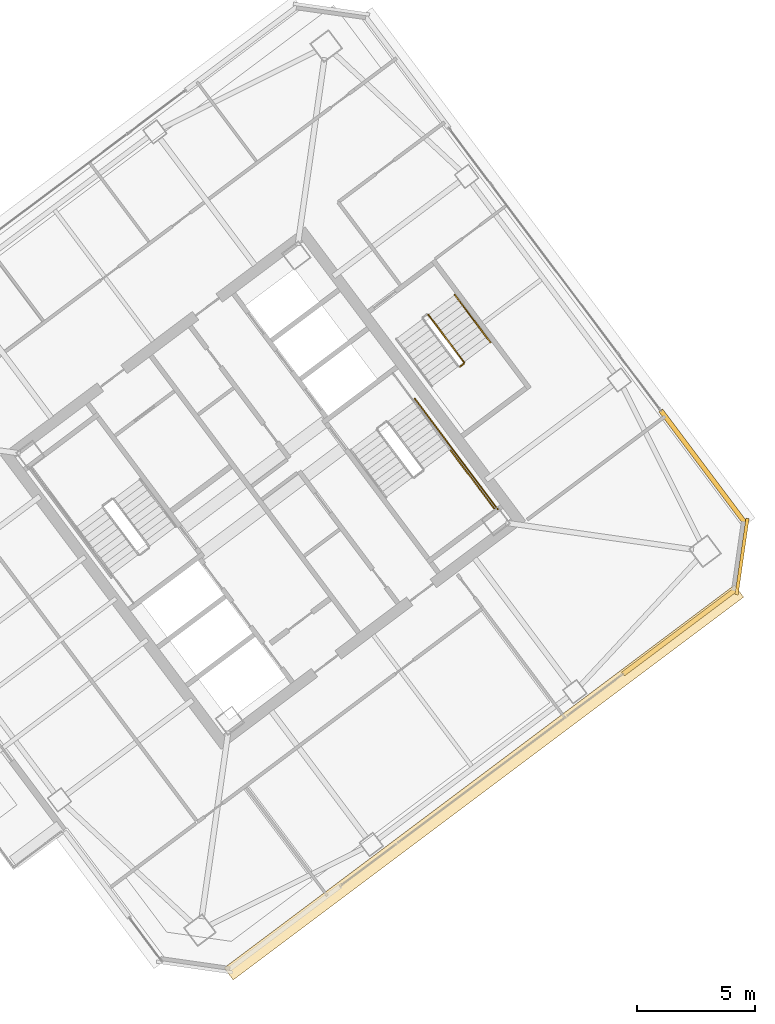
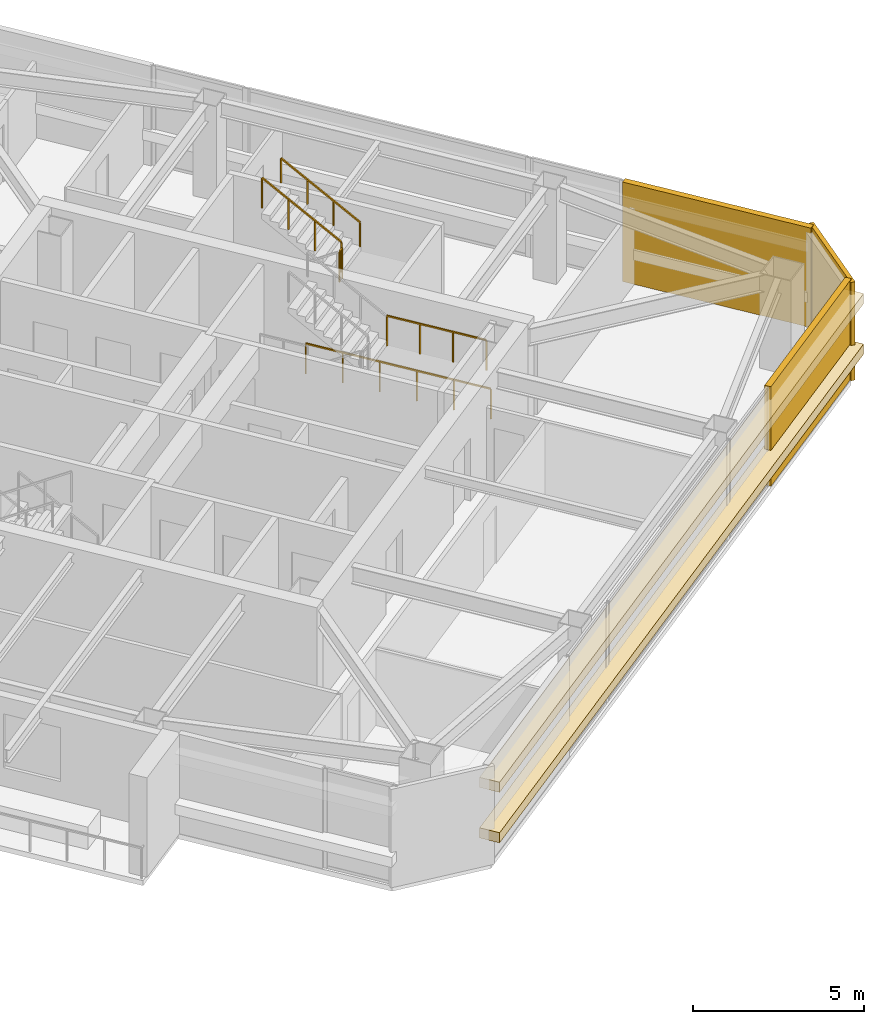
# One storey, part 38 of 40: 5 coverings, 5 railings.
"""IFC4 building model written with IfcOpenShell, lengths in metres."""

from ifc_helpers import new_model, si_unit, direction, frame, origin, origin_2d, place, context, subcontext, project, spatial, rectangle, extrude, material, layer, layer_set, type_object, element, save


model = new_model("IFC4")

# Units and contexts
model_context = context("Model", 3, precision=1e-05, world=origin(), true_north=direction((0.0, 1.0)))
body_context = subcontext(model_context, "Body", "Model", "MODEL_VIEW")
ifc_project = project(units=[si_unit("LENGTHUNIT", "METRE"), si_unit("AREAUNIT", "SQUARE_METRE"), si_unit("VOLUMEUNIT", "CUBIC_METRE"), si_unit("PLANEANGLEUNIT", "RADIAN"), si_unit("MASSUNIT", "GRAM", prefix="KILO")], contexts=[model_context])

# Site, building, storey
site_placement = place(None, origin())
site = spatial("IfcSite", under=ifc_project, at=site_placement, CompositionType="ELEMENT")
building_placement = place(site_placement, origin())
building = spatial("IfcBuilding", under=site, at=building_placement, Name="Tashvorn Skyway Center", CompositionType="ELEMENT")
storey_placement = place(building_placement, frame((0.0, 0.0, 221.949951171875)))
storey = spatial("IfcBuildingStorey", under=building, at=storey_placement, Name="L60", CompositionType="ELEMENT", Elevation=221.949951171875)

# Coverings
ifc_material_1 = material(Name="Precast concrete C40/50", Category="concrete")
ifc_layer_1 = layer(ifc_material_1, 0.199951171875)
ifc_layer_set_1 = layer_set([ifc_layer_1], Name="Precast concrete C40/50")
covering_type_1 = type_object("IfcCoveringType", Name="COV-BRACE-CLAD", PredefinedType="CLADDING", material=ifc_layer_set_1)
for number, where, z_axis, x_axis, name in (
    (1, (131.675537109375, 25.90673828125, 0.0), (0.0, 0.0, 1.0), (-0.799999996291, -0.600000004945, 0.0), "Tower 2 L60 South Unitised Curtain Wall Mega-Brace Cladding Band 1"),
    (2, (132.674560546875, 32.900390625, 0.0), (0.0, 0.0, 1.0), (0.600000004945, -0.799999996291, 0.0), "Tower 2 L60 East Unitised Curtain Wall Mega-Brace Cladding Band 2"),
):
    element("IfcCovering", number, at=place(storey_placement, frame(where, z_axis=z_axis, x_axis=x_axis)), inside=storey, type_object=covering_type_1, Name=name, PredefinedType="CLADDING", context=body_context, shape_type="SweptSolid", body=[
        extrude(rectangle(XDim=5.9912109375, YDim=0.199951171875, at=origin_2d()), origin(), (0.0, 0.0, 1.0), 3.550048828125),
    ])
ifc_material_2 = material(Name="Perforated ceramic-coated bronze aluminium solar screen", Category="aluminium")
ifc_layer_2 = layer(ifc_material_2, 0.85009765625)
ifc_layer_set_2 = layer_set([ifc_layer_2], Name="Perforated ceramic-coated bronze aluminium solar screen")
covering_type_2 = type_object("IfcCoveringType", Name="COV-SOLAR-BAND", PredefinedType="CLADDING", material=ifc_layer_set_2)
for number, where, z_axis, x_axis, name in (
    (3, (123.3720703125, 19.50390625, 0.919921875), (0.0, 0.0, 1.0), (-0.799999996291, -0.600000004945, 0.0), "L60 Perforated Ceramic-Metal Solar Screen Louvre Band South 1"),
    (4, (123.3720703125, 19.50390625, 2.72021484375), (0.0, 0.0, 1.0), (-0.799999996291, -0.600000004945, 0.0), "L60 Perforated Ceramic-Metal Solar Screen Louvre Band South 2"),
):
    element("IfcCovering", number, at=place(storey_placement, frame(where, z_axis=z_axis, x_axis=x_axis)), inside=storey, type_object=covering_type_2, Name=name, PredefinedType="CLADDING", context=body_context, shape_type="SweptSolid", body=[
        extrude(rectangle(XDim=27.080078125, YDim=0.639892578125, at=origin_2d()), origin(), (0.0, 0.0, 1.0), 0.360107421875),
    ])
ifc_layer_3 = layer(ifc_material_1, 0.35009765625)
ifc_layer_set_3 = layer_set([ifc_layer_3], Name="Precast concrete C40/50")
covering_type_3 = type_object("IfcCoveringType", Name="COV-STONE-TRIM", PredefinedType="CLADDING", material=ifc_layer_set_3)
covering_placement = place(storey_placement, frame((134.327880859375, 29.095947265625, 0.02001953125), z_axis=(0.0, 0.0, 1.0), x_axis=(0.141421350118, 0.989949494535, 0.0)))
element("IfcCovering", 5, at=covering_placement, inside=storey, type_object=covering_type_3, Name="Tower 2 L60 SE Mojave Limestone Corner Quoin", PredefinedType="CLADDING", context=body_context, shape_type="SweptSolid", body=[
    extrude(rectangle(XDim=3.271240234375, YDim=0.139892578125, at=origin_2d()), origin(), (0.0, 0.0, 1.0), 3.510009765625),
])

# Railings
ifc_material_3 = material(Name="Brushed stainless steel 316", Category="steel")
railing_type_1 = type_object("IfcRailingType", Name="RAIL-HAND-920", PredefinedType="HANDRAIL", material=ifc_material_3)
railing_1_placement = place(storey_placement, frame((123.64794921875, 38.18603515625, 1.95263671875)))
element("IfcRailing", 6, at=railing_1_placement, inside=storey, type_object=railing_type_1, Name="L60 ST-T2-3 stair handrail 2", PredefinedType="HANDRAIL", context=body_context, shape_type="SweptSolid", body=[
    extrude(rectangle(XDim=0.048095703125, YDim=0.048095703125, at=origin_2d()), frame((0.0, 0.0, 0.8759765625), z_axis=(-0.506768818287, 0.675664481285, 0.535409071218), x_axis=(-0.79998837352, -0.60001550166, 0.0)), (0.0, 0.0, 1.0), 2.983642578125),
    extrude(rectangle(XDim=0.0419921875, YDim=0.0419921875, at=origin_2d()), origin(), (0.0, 0.0, 1.0), 0.851806640625),
    extrude(rectangle(XDim=0.0419921875, YDim=0.0419921875, at=origin_2d()), frame((-0.50390625, 0.671875, 0.532470703125)), (0.0, 0.0, 1.0), 0.851806640625),
    extrude(rectangle(XDim=0.0419921875, YDim=0.0419921875, at=origin_2d()), frame((-1.008056640625, 1.343994140625, 1.06494140625)), (0.0, 0.0, 1.0), 0.851806640625),
    extrude(rectangle(XDim=0.0419921875, YDim=0.0419921875, at=origin_2d()), frame((-1.511962890625, 2.015869140625, 1.597412109375)), (0.0, 0.0, 1.0), 0.851806640625),
])
ifc_material_4 = material(Name="Painted galvanized steel S355", Category="steel")
railing_type_2 = type_object("IfcRailingType", Name="RAIL-STGUARD-1100", PredefinedType="GUARDRAIL", material=ifc_material_4)
railing_2_placement = place(storey_placement, frame((121.927978515625, 33.64599609375, 1.775146484375)))
element("IfcRailing", 7, at=railing_2_placement, inside=storey, type_object=railing_type_2, Name="L60 ST-T2-2 stair guard 3", PredefinedType="GUARDRAIL", context=body_context, shape_type="SweptSolid", body=[
    extrude(rectangle(XDim=0.048095703125, YDim=0.048095703125, at=origin_2d()), frame((0.0, 0.0, 1.076171875), z_axis=(0.599987638607, -0.800009270896, 0.0), x_axis=(0.800009270896, 0.599987638607, 0.0)), (0.0, 0.0, 1.0), 3.16015625),
    extrude(rectangle(XDim=0.0419921875, YDim=0.0419921875, at=origin_2d()), origin(), (0.0, 0.0, 1.0), 1.052001953125),
    extrude(rectangle(XDim=0.0419921875, YDim=0.0419921875, at=origin_2d()), frame((0.632080078125, -0.8427734375, 0.0)), (0.0, 0.0, 1.0), 1.052001953125),
    extrude(rectangle(XDim=0.0419921875, YDim=0.0419921875, at=origin_2d()), frame((1.263916015625, -1.685302734375, 0.0)), (0.0, 0.0, 1.0), 1.052001953125),
    extrude(rectangle(XDim=0.0419921875, YDim=0.0419921875, at=origin_2d()), frame((1.89599609375, -2.528076171875, 0.0)), (0.0, 0.0, 1.0), 1.052001953125),
])
railing_3_placement = place(storey_placement, frame((120.43603515625, 35.802001953125, 0.0)))
element("IfcRailing", 8, at=railing_3_placement, inside=storey, type_object=railing_type_2, Name="L60 ST-T2-2 stair guard 7", PredefinedType="GUARDRAIL", context=body_context, shape_type="SweptSolid", body=[
    extrude(rectangle(XDim=0.048095703125, YDim=0.048095703125, at=origin_2d()), frame((0.0, 0.0, 1.076171875), z_axis=(0.6, -0.8, 0.0), x_axis=(0.8, 0.6, 0.0)), (0.0, 0.0, 1.0), 5.880126953125),
    extrude(rectangle(XDim=0.0419921875, YDim=0.0419921875, at=origin_2d()), origin(), (0.0, 0.0, 1.0), 1.052001953125),
    extrude(rectangle(XDim=0.0419921875, YDim=0.0419921875, at=origin_2d()), frame((0.70556640625, -0.94091796875, 0.0)), (0.0, 0.0, 1.0), 1.052001953125),
    extrude(rectangle(XDim=0.0419921875, YDim=0.0419921875, at=origin_2d()), frame((1.4111328125, -1.881591796875, 0.0)), (0.0, 0.0, 1.0), 1.052001953125),
    extrude(rectangle(XDim=0.0419921875, YDim=0.0419921875, at=origin_2d()), frame((2.116943359375, -2.822509765625, 0.0)), (0.0, 0.0, 1.0), 1.052001953125),
    extrude(rectangle(XDim=0.0419921875, YDim=0.0419921875, at=origin_2d()), frame((2.822509765625, -3.76318359375, 0.0)), (0.0, 0.0, 1.0), 1.052001953125),
    extrude(rectangle(XDim=0.0419921875, YDim=0.0419921875, at=origin_2d()), frame((3.528076171875, -4.7041015625, 0.0)), (0.0, 0.0, 1.0), 1.052001953125),
])
railing_4_placement = place(storey_placement, frame((122.35791015625, 37.156005859375, 1.775146484375)))
element("IfcRailing", 9, at=railing_4_placement, inside=storey, type_object=railing_type_2, Name="L60 ST-T2-3 stair guard 2", PredefinedType="GUARDRAIL", context=body_context, shape_type="SweptSolid", body=[
    extrude(rectangle(XDim=0.048095703125, YDim=0.048095703125, at=origin_2d()), frame((0.0, 0.0, 1.076171875), z_axis=(0.800585412921, 0.599218655098, 0.0), x_axis=(-0.599218655098, 0.800585412921, 0.0)), (0.0, 0.0, 1.0), 0.199951171875),
    extrude(rectangle(XDim=0.0419921875, YDim=0.0419921875, at=origin_2d()), origin(), (0.0, 0.0, 1.0), 1.052001953125),
    extrude(rectangle(XDim=0.0419921875, YDim=0.0419921875, at=origin_2d()), frame((0.16015625, 0.119873046875, 0.0)), (0.0, 0.0, 1.0), 1.052001953125),
])
railing_5_placement = place(storey_placement, frame((122.528076171875, 37.345947265625, 1.95263671875)))
element("IfcRailing", 10, at=railing_5_placement, inside=storey, type_object=railing_type_2, Name="L60 ST-T2-3 stair guard 3", PredefinedType="GUARDRAIL", context=body_context, shape_type="SweptSolid", body=[
    extrude(rectangle(XDim=0.048095703125, YDim=0.048095703125, at=origin_2d()), frame((0.0, 0.0, 1.076171875), z_axis=(-0.506740800098, 0.675708949977, 0.535379469569), x_axis=(-0.800023250257, -0.599968998406, 0.0)), (0.0, 0.0, 1.0), 2.983642578125),
    extrude(rectangle(XDim=0.0419921875, YDim=0.0419921875, at=origin_2d()), origin(), (0.0, 0.0, 1.0), 1.052001953125),
    extrude(rectangle(XDim=0.0419921875, YDim=0.0419921875, at=origin_2d()), frame((-0.50390625, 0.672119140625, 0.532470703125)), (0.0, 0.0, 1.0), 1.052001953125),
    extrude(rectangle(XDim=0.0419921875, YDim=0.0419921875, at=origin_2d()), frame((-1.008056640625, 1.343994140625, 1.06494140625)), (0.0, 0.0, 1.0), 1.052001953125),
    extrude(rectangle(XDim=0.0419921875, YDim=0.0419921875, at=origin_2d()), frame((-1.511962890625, 2.01611328125, 1.597412109375)), (0.0, 0.0, 1.0), 1.052001953125),
])

save(model, "model.ifc")
